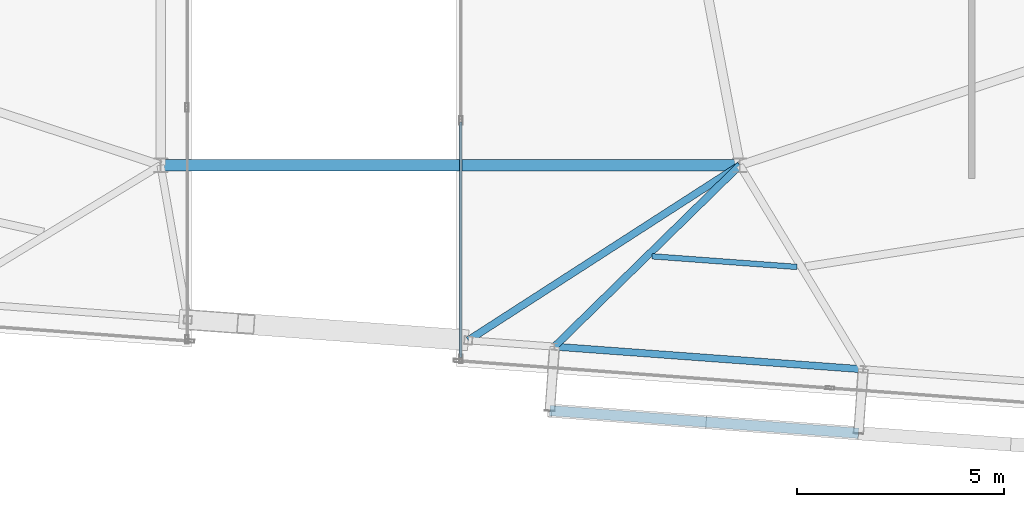
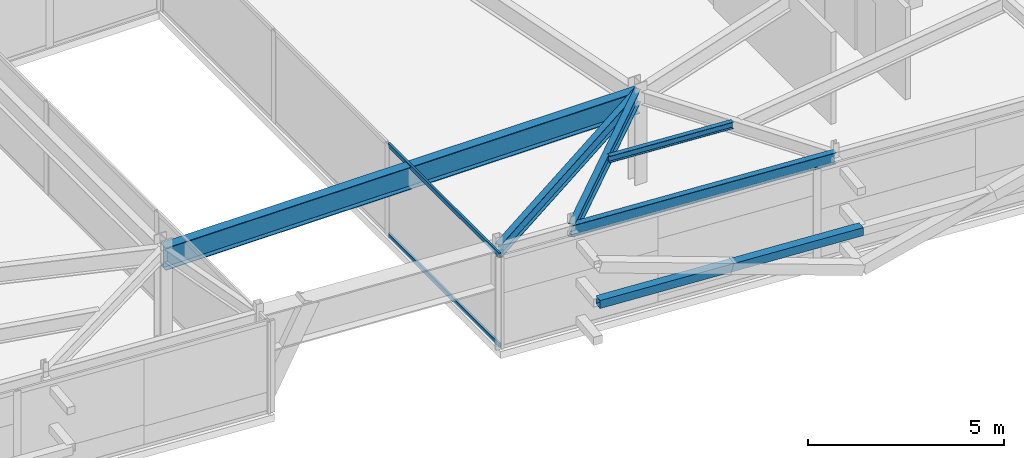
# One storey, part 12 of 40: 5 beams, 3 members, 1 element without a shape of its own.
"""IFC4 building model written with IfcOpenShell, lengths in metres."""

from ifc_helpers import new_model, si_unit, direction, frame, origin, origin_2d, place, context, subcontext, project, spatial, hollow_rectangle, i_section, extrude, source, transform, mapped, material, layer, layer_set, material_profile, profile_set, type_object, element, aggregate, save


model = new_model("IFC4")

# Units and contexts
model_context = context("Model", 3, precision=1e-05, world=origin(), true_north=direction((0.0, 1.0)))
body_context = subcontext(model_context, "Body", "Model", "MODEL_VIEW")
ifc_project = project(units=[si_unit("LENGTHUNIT", "METRE"), si_unit("AREAUNIT", "SQUARE_METRE"), si_unit("VOLUMEUNIT", "CUBIC_METRE"), si_unit("PLANEANGLEUNIT", "RADIAN"), si_unit("MASSUNIT", "GRAM", prefix="KILO")], contexts=[model_context])

# Site, building, storey
site_placement = place(None, origin())
site = spatial("IfcSite", under=ifc_project, at=site_placement, CompositionType="ELEMENT")
building_placement = place(site_placement, origin())
building = spatial("IfcBuilding", under=site, at=building_placement, Name="Taldren Reach Tower", CompositionType="ELEMENT")
storey_placement = place(building_placement, frame((0.0, 0.0, 233.449951171875)))
storey = spatial("IfcBuildingStorey", under=building, at=storey_placement, Name="L71", CompositionType="ELEMENT", Elevation=233.449951171875)

# Beams
ifc_material_1 = material(Name="Steel Gr 350 (350PLUS)", Category="steel")
ifc_material_profile_1 = material_profile(ifc_material_1, i_section(OverallWidth=0.27490234375, OverallDepth=0.699951171875, WebThickness=0.010009765625, FlangeThickness=0.02001953125, at=origin_2d()), Name="700WB150")
ifc_profile_set_1 = profile_set([ifc_material_profile_1], Name="Steel Gr 350 (350PLUS)")
beam_type_1 = type_object("IfcBeamType", Name="BM-WB700", PredefinedType="BEAM", material=ifc_profile_set_1)
shared_shape_1 = source(origin(), body_context, "Body", "SweptSolid", [
    extrude(i_section(OverallWidth=0.27490234375, OverallDepth=0.699951171875, WebThickness=0.010009765625, FlangeThickness=0.02001953125, at=origin_2d()), origin(), (0.0, 0.0, 1.0), 14.0),
])
beam_1_placement = place(storey_placement, frame((28.0, 9.199951171875, 2.52001953125), z_axis=(1.0, 0.0, 0.0), x_axis=(0.0, 1.0, 0.0)))
element("IfcBeam", 1, at=beam_1_placement, inside=storey, type_object=beam_type_1, Name="Core-spine girder L71-SP11", PredefinedType="BEAM", context=body_context, shape_type="MappedRepresentation", body=[
    mapped(shared_shape_1, transform((0.0, 0.0, 0.0), scale=1.0)),
])
ifc_material_profile_2 = material_profile(ifc_material_1, i_section(OverallWidth=0.172119140625, OverallDepth=0.35888671875, WebThickness=0.008056640625, FlangeThickness=0.012939453125, at=origin_2d()), Name="360UB56.7")
ifc_profile_set_2 = profile_set([ifc_material_profile_2], Name="Steel Gr 350 (350PLUS)")
beam_type_2 = type_object("IfcBeamType", Name="SP-UB360", PredefinedType="SPANDREL", material=ifc_profile_set_2)
shared_shape_2 = source(origin(), body_context, "Body", "SweptSolid", [
    extrude(i_section(OverallWidth=0.172119140625, OverallDepth=0.35888671875, WebThickness=0.008056640625, FlangeThickness=0.012939453125, at=origin_2d()), origin(), (0.0, 0.0, 1.0), 7.479736328125),
])
beam_2_placement = place(storey_placement, frame((37.5205078125, 4.81689453125, 2.6904296875), z_axis=(0.997314045547, -0.073244075215, 0.0), x_axis=(0.073244075215, 0.997314045547, 0.0)))
element("IfcBeam", 2, at=beam_2_placement, inside=storey, type_object=beam_type_2, Name="Perimeter spandrel B5 S4-S5 L71", PredefinedType="SPANDREL", context=body_context, shape_type="MappedRepresentation", body=[
    mapped(shared_shape_2, transform((0.0, 0.0, 0.0), scale=1.0)),
])
ifc_material_profile_3 = material_profile(ifc_material_1, i_section(OverallWidth=0.177978515625, OverallDepth=0.406005859375, WebThickness=0.0078125, FlangeThickness=0.0126953125, at=origin_2d()), Name="410UB59.7")
ifc_profile_set_3 = profile_set([ifc_material_profile_3], Name="Steel Gr 350 (350PLUS)")
beam_type_3 = type_object("IfcBeamType", Name="BM-UB410", PredefinedType="BEAM", material=ifc_profile_set_3)
shared_shape_3 = source(origin(), body_context, "Body", "SweptSolid", [
    extrude(i_section(OverallWidth=0.177978515625, OverallDepth=0.406005859375, WebThickness=0.0078125, FlangeThickness=0.0126953125, at=origin_2d()), origin(), (0.0, 0.0, 1.0), 7.80908203125),
])
beam_3_placement = place(storey_placement, frame((42.0, 9.199951171875, 2.6669921875), z_axis=(-0.840564391699, -0.541711642304, 0.0), x_axis=(0.541711642304, -0.840564391699, 0.0)))
element("IfcBeam", 3, at=beam_3_placement, inside=storey, type_object=beam_type_3, Name="Primary floor girder B5-PJ2 L71", PredefinedType="BEAM", context=body_context, shape_type="MappedRepresentation", body=[
    mapped(shared_shape_3, transform((0.0, 0.0, 0.0), scale=1.0)),
])
shared_shape_4 = source(origin(), body_context, "Body", "SweptSolid", [
    extrude(i_section(OverallWidth=0.177978515625, OverallDepth=0.406005859375, WebThickness=0.0078125, FlangeThickness=0.0126953125, at=origin_2d()), origin(), (0.0, 0.0, 1.0), 6.26708984375),
])
beam_4_placement = place(storey_placement, frame((42.0, 9.199951171875, 2.6669921875), z_axis=(-0.71475866888, -0.699371178461, 0.0), x_axis=(0.699371178461, -0.71475866888, 0.0)))
element("IfcBeam", 4, at=beam_4_placement, inside=storey, type_object=beam_type_3, Name="Primary floor girder B5-S4 L71", PredefinedType="BEAM", context=body_context, shape_type="MappedRepresentation", body=[
    mapped(shared_shape_4, transform((0.0, 0.0, 0.0), scale=1.0)),
])
ifc_material_2 = material(Name="Steel Gr 300 (300PLUS, 300 MPa)", Category="steel")
ifc_material_profile_4 = material_profile(ifc_material_2, i_section(OverallWidth=0.134033203125, OverallDepth=0.20703125, WebThickness=0.00634765625, FlangeThickness=0.009521484375, at=origin_2d()), Name="200UB29.8")
ifc_profile_set_4 = profile_set([ifc_material_profile_4], Name="Steel Gr 300 (300PLUS, 300 MPa)")
beam_type_4 = type_object("IfcBeamType", Name="JS-UB200", PredefinedType="JOIST", material=ifc_profile_set_4)
shared_shape_5 = source(origin(), body_context, "Body", "SweptSolid", [
    extrude(i_section(OverallWidth=0.134033203125, OverallDepth=0.20703125, WebThickness=0.00634765625, FlangeThickness=0.009521484375, at=origin_2d()), origin(), (0.0, 0.0, 1.0), 3.51220703125),
])
beam_5_placement = place(storey_placement, frame((39.878662109375, 6.999755859375, 2.7666015625), z_axis=(0.997312333235, -0.073267386856, 0.0), x_axis=(0.073267386856, 0.997312333235, 0.0)))
element("IfcBeam", 5, at=beam_5_placement, inside=storey, type_object=beam_type_4, Name="Secondary floor joist B5 J4 L71", PredefinedType="JOIST", context=body_context, shape_type="MappedRepresentation", body=[
    mapped(shared_shape_5, transform((0.0, 0.0, 0.0), scale=1.0)),
])

# Member
ifc_material_3 = material(Name="Steel Gr 350 (C350L0)", Category="steel")
ifc_material_profile_5 = material_profile(ifc_material_3, hollow_rectangle(XDim=0.25, YDim=0.25, WallThickness=0.010009765625, at=origin_2d()), Name="250x250x10.0SHS")
ifc_profile_set_5 = profile_set([ifc_material_profile_5], Name="Steel Gr 350 (C350L0)")
member_type_1 = type_object("IfcMemberType", Name="MB-POST250", PredefinedType="POST", material=ifc_profile_set_5)
shared_shape_6 = source(origin(), body_context, "Body", "SweptSolid", [
    extrude(hollow_rectangle(XDim=0.25, YDim=0.25, WallThickness=0.010009765625, at=origin_2d()), origin(), (0.0, 0.0, 1.0), 7.479736328125),
])
member_1_placement = place(storey_placement, frame((37.406982421875, 3.27099609375, 1.405029296875), z_axis=(0.997314045547, -0.073244075215, 0.0), x_axis=(0.073244075215, 0.997314045547, 0.0)))
element("IfcMember", 6, at=member_1_placement, inside=storey, type_object=member_type_1, Name="Exoskeleton mid-height ring chord B5-S3 L71", PredefinedType="POST", context=body_context, shape_type="MappedRepresentation", body=[
    mapped(shared_shape_6, transform((0.0, 0.0, 0.0), scale=1.0)),
])

# Curtain wall, members
ifc_material_4 = material(Name="Aluminium and Low-E Glass Unitised System", Category="aluminium")
ifc_layer = layer(ifc_material_4, 0.159912109375)
ifc_layer_set = layer_set([ifc_layer], Name="Aluminium and Low-E Glass Unitised System")
curtain_wall_type = type_object("IfcCurtainWallType", Name="CW-SYS-7", PredefinedType="NOTDEFINED", material=ifc_layer_set)
curtain_wall_placement = place(storey_placement, origin())
curtain_wall = element("IfcCurtainWall", 7, at=curtain_wall_placement, inside=storey, type_object=curtain_wall_type, Name="Unitised curtain wall CW7-L71-PSE", PredefinedType="NOTDEFINED")
ifc_material_5 = material(Name="Anodised Aluminium 6063-T6", Category="aluminium")
ifc_material_profile_6 = material_profile(ifc_material_5, hollow_rectangle(XDim=0.06005859375, YDim=0.135009765625, WallThickness=0.00341796875, at=origin_2d()), Name="ALU-135x60x3.5RHS")
ifc_profile_set_6 = profile_set([ifc_material_profile_6], Name="Anodised Aluminium 6063-T6")
member_type_2 = type_object("IfcMemberType", Name="CW-TRN-150", PredefinedType="USERDEFINED", material=ifc_profile_set_6)
shared_shape_7 = source(origin(), body_context, "Body", "SweptSolid", [
    extrude(hollow_rectangle(XDim=0.06005859375, YDim=0.135009765625, WallThickness=0.00341796875, at=origin_2d()), origin(), (0.0, 0.0, 1.0), 5.687744140625),
])
member_2_placement = place(storey_placement, frame((35.260009765625, 10.2421875, 0.030029296875), z_axis=(0.0, -1.0, 0.0), x_axis=(1.0, 0.0, 0.0)))
member_2 = element("IfcMember", 8, at=member_2_placement, type_object=member_type_2, Name="CW-7 transom 3.1", ObjectType="TRANSOM", PredefinedType="USERDEFINED", context=body_context, shape_type="MappedRepresentation", body=[
    mapped(shared_shape_7, transform((0.0, 0.0, 0.0), scale=1.0)),
])
member_3_placement = place(storey_placement, frame((35.260009765625, 10.2421875, 2.840087890625), z_axis=(0.0, -1.0, 0.0), x_axis=(1.0, 0.0, 0.0)))
member_3 = element("IfcMember", 9, at=member_3_placement, type_object=member_type_2, Name="CW-7 transom 3.2", ObjectType="TRANSOM", PredefinedType="USERDEFINED", context=body_context, shape_type="MappedRepresentation", body=[
    mapped(shared_shape_7, transform((0.0, 0.0, 0.0), scale=1.0)),
])
aggregate(curtain_wall, [member_2, member_3])

save(model, "model.ifc")
